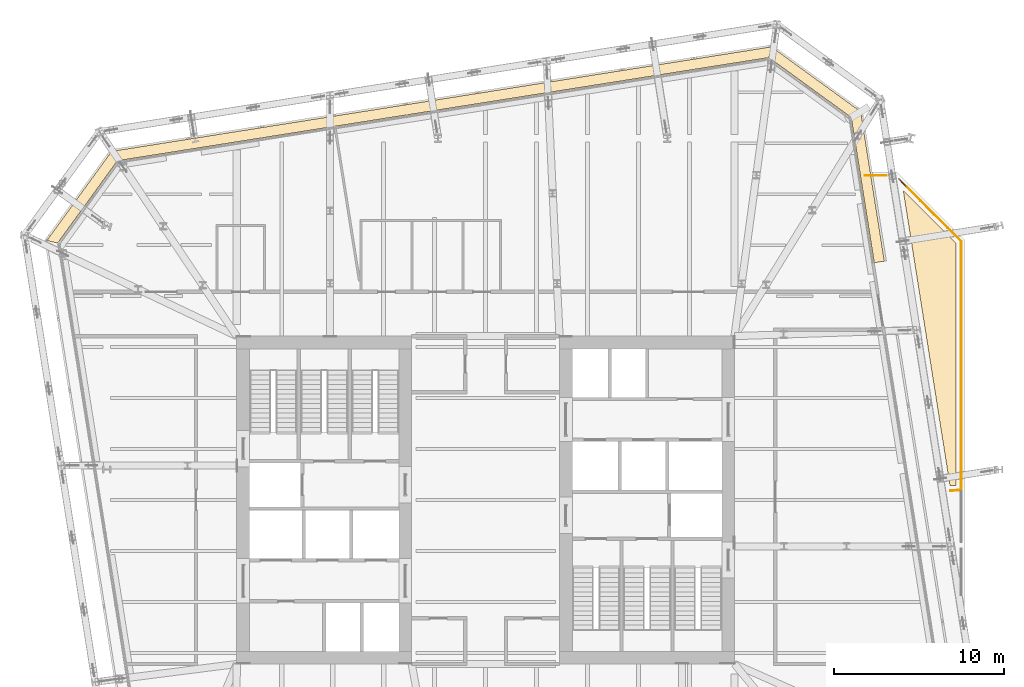
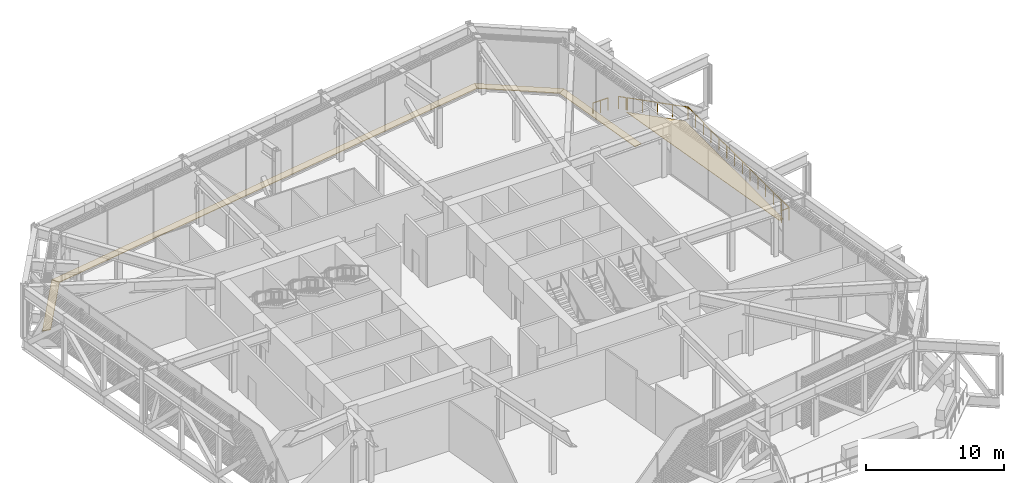
# One storey, part 31 of 32: 5 coverings, 3 railings.
"""IFC4 building model written with IfcOpenShell, lengths in metres."""

from ifc_helpers import new_model, si_unit, direction, frame, origin, origin_2d, place, context, subcontext, project, spatial, polyline, circle, outline, extrude, material, layer, layer_set, type_object, element, save


model = new_model("IFC4")

# Units and contexts
model_context = context("Model", 3, precision=1e-05, world=origin(), true_north=direction((0.0, 1.0)))
body_context = subcontext(model_context, "Body", "Model", "MODEL_VIEW")
ifc_project = project(units=[si_unit("LENGTHUNIT", "METRE"), si_unit("AREAUNIT", "SQUARE_METRE"), si_unit("VOLUMEUNIT", "CUBIC_METRE"), si_unit("PLANEANGLEUNIT", "RADIAN"), si_unit("MASSUNIT", "GRAM", prefix="KILO")], contexts=[model_context])

# Site, building, storey
site_placement = place(None, origin())
site = spatial("IfcSite", under=ifc_project, at=site_placement, CompositionType="ELEMENT")
building_placement = place(site_placement, origin())
building = spatial("IfcBuilding", under=site, at=building_placement, Name="Millrace Tower", CompositionType="ELEMENT")
storey_placement = place(building_placement, frame((0.0, 0.0, 124.89990234375)))
storey = spatial("IfcBuildingStorey", under=building, at=storey_placement, Name="L27", CompositionType="ELEMENT", Elevation=124.89990234375)

# Coverings
ifc_material_1 = material(Name="Steel ASTM A36", Category="steel")
ifc_layer_1 = layer(ifc_material_1, 0.050048828125)
ifc_layer_set_1 = layer_set([ifc_layer_1], Name="Steel ASTM A36")
covering_type_1 = type_object("IfcCoveringType", Name="CAVITY CATWALK steel grating", PredefinedType="FLOORING", material=ifc_layer_set_1)
placement = place(storey_placement, frame((0.0, 0.0, 0.10009765625)))
element("IfcCovering", 1, at=placement, inside=storey, type_object=covering_type_1, Name="Cavity catwalk grating C-F04 L27 2", PredefinedType="FLOORING", context=body_context, shape_type="SweptSolid", body=[
    extrude(outline(polyline([(23.4697265625, 14.061279296875), (22.075927734375, 22.862060546875), (21.522216796875, 22.522705078125), (22.877197265625, 13.96728515625), (23.4697265625, 14.061279296875)])), origin(), (0.0, 0.0, 1.0), 0.050048828125),
])
element("IfcCovering", 2, at=placement, inside=storey, type_object=covering_type_1, Name="Cavity catwalk grating C-F05 L27 1", PredefinedType="FLOORING", context=body_context, shape_type="SweptSolid", body=[
    extrude(outline(polyline([(22.075927734375, 22.862060546875), (16.824951171875, 26.677001953125), (16.67333984375, 26.045654296875), (21.522216796875, 22.522705078125), (22.075927734375, 22.862060546875)])), origin(), (0.0, 0.0, 1.0), 0.050048828125),
])
element("IfcCovering", 3, at=placement, inside=storey, type_object=covering_type_1, Name="Cavity catwalk grating C-F06 L27 1", PredefinedType="FLOORING", context=body_context, shape_type="SweptSolid", body=[
    extrude(outline(polyline([(16.824951171875, 26.677001953125), (-22.01220703125, 20.52587890625), (-21.6728515625, 19.97216796875), (16.67333984375, 26.045654296875), (16.824951171875, 26.677001953125)])), origin(), (0.0, 0.0, 1.0), 0.050048828125),
])
element("IfcCovering", 4, at=placement, inside=storey, type_object=covering_type_1, Name="Cavity catwalk grating C-F07 L27 1", PredefinedType="FLOORING", context=body_context, shape_type="SweptSolid", body=[
    extrude(outline(polyline([(-22.01220703125, 20.52587890625), (-25.8271484375, 15.275146484375), (-25.195556640625, 15.12353515625), (-21.6728515625, 19.97216796875), (-22.01220703125, 20.52587890625)])), origin(), (0.0, 0.0, 1.0), 0.050048828125),
])
ifc_material_2 = material(Name="Bituminous roofing membrane on rigid insulation")
ifc_layer_2 = layer(ifc_material_2, 0.0400390625)
ifc_layer_set_2 = layer_set([ifc_layer_2], Name="Bituminous roofing membrane on rigid insulation")
covering_type_2 = type_object("IfcCoveringType", Name="Roofing membrane and insulation 40 mm", PredefinedType="ROOFING", material=ifc_layer_set_2)
covering_5_placement = place(storey_placement, origin())
element("IfcCovering", 5, at=covering_5_placement, inside=storey, type_object=covering_type_2, Name="Roofing membrane and insulation T-L26-2", PredefinedType="ROOFING", context=body_context, shape_type="SweptSolid", body=[
    extrude(outline(polyline([(24.584716796875, 18.2080078125), (27.33544921875, 0.841552734375), (27.699951171875, 0.8701171875), (27.699951171875, 15.0927734375), (24.584716796875, 18.2080078125)])), origin(), (0.0, 0.0, 1.0), 0.0400390625),
])

# Railings
ifc_material_3 = material(Name="Stainless steel ASTM A240 type 316", Category="steel")
railing_type = type_object("IfcRailingType", Name="Terrace guard 1100", PredefinedType="GUARDRAIL", material=ifc_material_3)
railing_1_placement = place(storey_placement, frame((27.35888671875, 0.54248046875, 0.0)))
element("IfcRailing", 6, at=railing_1_placement, inside=storey, type_object=railing_type, Name="Terrace guard T-L26-2 1", PredefinedType="GUARDRAIL", context=body_context, shape_type="SweptSolid", body=[
    extrude(circle(Radius=0.02392578125, at=origin_2d()), frame((0.0, 0.0, 1.076171875), z_axis=(0.996937217165, 0.078206042169, 0.0), x_axis=(-0.078206042169, 0.996937217165, 0.0)), (0.0, 0.0, 1.0), 0.64306640625),
    extrude(circle(Radius=0.02392578125, at=origin_2d()), frame((0.64111328125, 0.05029296875, 1.076171875), z_axis=(0.0, 1.0, 0.0), x_axis=(-1.0, 0.0, 0.0)), (0.0, 0.0, 1.0), 14.624267578125),
    extrude(circle(Radius=0.02392578125, at=origin_2d()), frame((0.64111328125, 14.674560546875, 1.076171875), z_axis=(-0.707106781187, 0.707106781187, 0.0), x_axis=(-0.707106781187, -0.707106781187, 0.0)), (0.0, 0.0, 1.0), 4.52978515625),
    extrude(circle(Radius=0.02099609375, at=origin_2d()), origin(), (0.0, 0.0, 1.0), 1.052001953125),
    extrude(circle(Radius=0.02099609375, at=origin_2d()), frame((0.64111328125, 0.05029296875, 0.0)), (0.0, 0.0, 1.0), 1.052001953125),
    extrude(circle(Radius=0.02099609375, at=origin_2d()), frame((0.64111328125, 1.17529296875, 0.0)), (0.0, 0.0, 1.0), 1.052001953125),
    extrude(circle(Radius=0.02099609375, at=origin_2d()), frame((0.64111328125, 2.30029296875, 0.0)), (0.0, 0.0, 1.0), 1.052001953125),
    extrude(circle(Radius=0.02099609375, at=origin_2d()), frame((0.64111328125, 3.425048828125, 0.0)), (0.0, 0.0, 1.0), 1.052001953125),
    extrude(circle(Radius=0.02099609375, at=origin_2d()), frame((0.64111328125, 4.550048828125, 0.0)), (0.0, 0.0, 1.0), 1.052001953125),
    extrude(circle(Radius=0.02099609375, at=origin_2d()), frame((0.64111328125, 5.675048828125, 0.0)), (0.0, 0.0, 1.0), 1.052001953125),
    extrude(circle(Radius=0.02099609375, at=origin_2d()), frame((0.64111328125, 6.800048828125, 0.0)), (0.0, 0.0, 1.0), 1.052001953125),
    extrude(circle(Radius=0.02099609375, at=origin_2d()), frame((0.64111328125, 7.9248046875, 0.0)), (0.0, 0.0, 1.0), 1.052001953125),
    extrude(circle(Radius=0.02099609375, at=origin_2d()), frame((0.64111328125, 9.0498046875, 0.0)), (0.0, 0.0, 1.0), 1.052001953125),
    extrude(circle(Radius=0.02099609375, at=origin_2d()), frame((0.64111328125, 10.1748046875, 0.0)), (0.0, 0.0, 1.0), 1.052001953125),
    extrude(circle(Radius=0.02099609375, at=origin_2d()), frame((0.64111328125, 11.2998046875, 0.0)), (0.0, 0.0, 1.0), 1.052001953125),
    extrude(circle(Radius=0.02099609375, at=origin_2d()), frame((0.64111328125, 12.424560546875, 0.0)), (0.0, 0.0, 1.0), 1.052001953125),
    extrude(circle(Radius=0.02099609375, at=origin_2d()), frame((0.64111328125, 13.549560546875, 0.0)), (0.0, 0.0, 1.0), 1.052001953125),
    extrude(circle(Radius=0.02099609375, at=origin_2d()), frame((0.64111328125, 14.674560546875, 0.0)), (0.0, 0.0, 1.0), 1.052001953125),
    extrude(circle(Radius=0.02099609375, at=origin_2d()), frame((-0.15966796875, 15.475341796875, 0.0)), (0.0, 0.0, 1.0), 1.052001953125),
    extrude(circle(Radius=0.02099609375, at=origin_2d()), frame((-0.96044921875, 16.276123046875, 0.0)), (0.0, 0.0, 1.0), 1.052001953125),
    extrude(circle(Radius=0.02099609375, at=origin_2d()), frame((-1.76123046875, 17.076904296875, 0.0)), (0.0, 0.0, 1.0), 1.052001953125),
    extrude(circle(Radius=0.02099609375, at=origin_2d()), frame((-2.56201171875, 17.877685546875, 0.0)), (0.0, 0.0, 1.0), 1.052001953125),
])
railing_2_placement = place(storey_placement, frame((22.342529296875, 19.10009765625, 0.0)))
element("IfcRailing", 7, at=railing_2_placement, inside=storey, type_object=railing_type, Name="Terrace guard L26 edge 1.9", PredefinedType="GUARDRAIL", context=body_context, shape_type="SweptSolid", body=[
    extrude(circle(Radius=0.02392578125, at=origin_2d()), frame((0.0, 0.0, 1.076171875), z_axis=(1.0, 0.0, 0.0), x_axis=(0.0, 1.0, 0.0)), (0.0, 0.0, 1.0), 1.240966796875),
    extrude(circle(Radius=0.02099609375, at=origin_2d()), origin(), (0.0, 0.0, 1.0), 1.052001953125),
    extrude(circle(Radius=0.02099609375, at=origin_2d()), frame((0.62060546875, 0.0, 0.0)), (0.0, 0.0, 1.0), 1.052001953125),
    extrude(circle(Radius=0.02099609375, at=origin_2d()), frame((1.240966796875, 0.0, 0.0)), (0.0, 0.0, 1.0), 1.052001953125),
])
railing_3_placement = place(storey_placement, frame((24.324462890625, 18.892578125, 0.0)))
element("IfcRailing", 8, at=railing_3_placement, inside=storey, type_object=railing_type, Name="Terrace guard L26 edge 1.10", PredefinedType="GUARDRAIL", context=body_context, shape_type="SweptSolid", body=[
    extrude(circle(Radius=0.02392578125, at=origin_2d()), frame((0.0, 0.0, 1.076171875), z_axis=(0.707321609299, -0.706891887787, 0.0), x_axis=(0.706891887787, 0.707321609299, 0.0)), (0.0, 0.0, 1.0), 0.568115234375),
    extrude(circle(Radius=0.02099609375, at=origin_2d()), origin(), (0.0, 0.0, 1.0), 1.052001953125),
    extrude(circle(Radius=0.02099609375, at=origin_2d()), frame((0.40185546875, -0.401611328125, 0.0)), (0.0, 0.0, 1.0), 1.052001953125),
])

save(model, "model.ifc")
